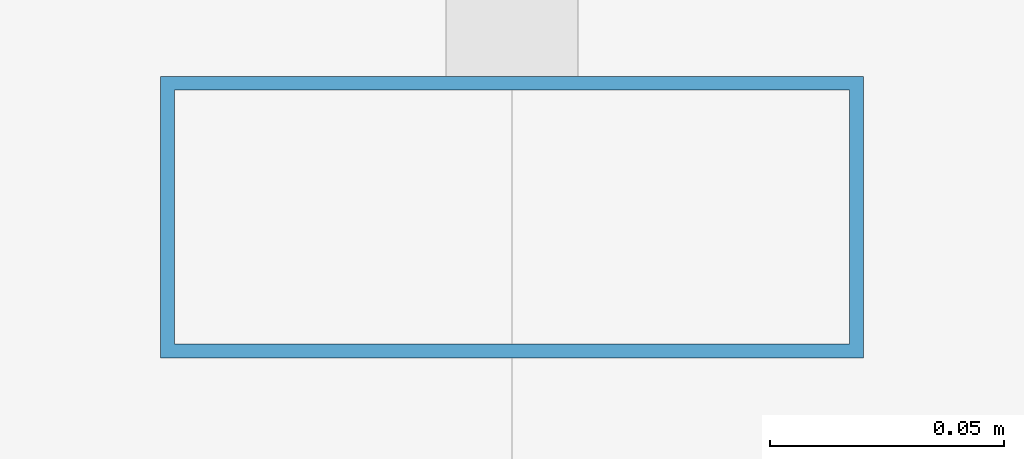
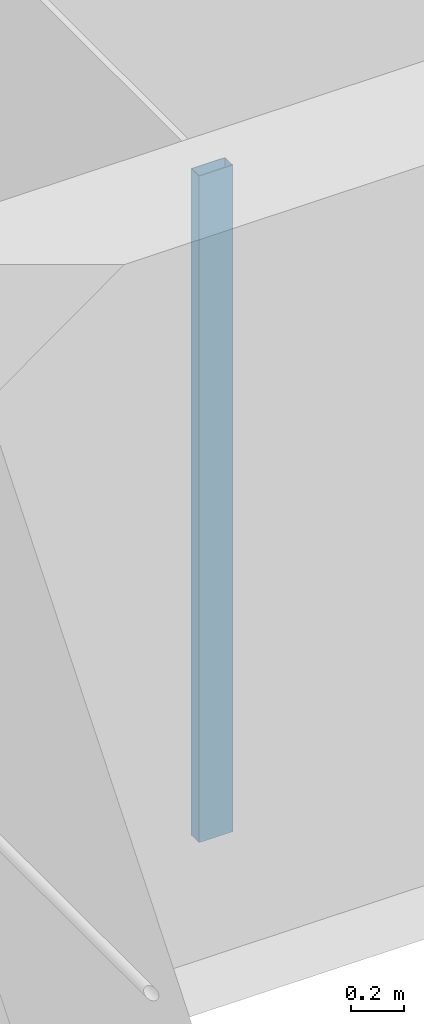
# One storey, part 11 of 40: 1 member, 1 element without a shape of its own.
"""IFC4 building model written with IfcOpenShell, lengths in metres."""

from ifc_helpers import new_model, si_unit, direction, frame, origin, origin_2d, place, context, subcontext, project, spatial, hollow_rectangle, extrude, material, material_profile, profile_set, type_object, element, aggregate, save


model = new_model("IFC4")

# Units and contexts
model_context = context("Model", 3, precision=1e-05, world=origin(), true_north=direction((0.0, 1.0)))
body_context = subcontext(model_context, "Body", "Model", "MODEL_VIEW")
ifc_project = project(units=[si_unit("LENGTHUNIT", "METRE"), si_unit("AREAUNIT", "SQUARE_METRE"), si_unit("VOLUMEUNIT", "CUBIC_METRE"), si_unit("PLANEANGLEUNIT", "RADIAN"), si_unit("MASSUNIT", "GRAM", prefix="KILO")], contexts=[model_context])

# Site, building, storey
site_placement = place(None, origin())
site = spatial("IfcSite", under=ifc_project, at=site_placement, CompositionType="ELEMENT")
building_placement = place(site_placement, origin())
building = spatial("IfcBuilding", under=site, at=building_placement, Name="Altepetl Exchange Towers", CompositionType="ELEMENT")
storey_placement = place(building_placement, frame((0.0, 0.0, 179.800048828125)))
storey = spatial("IfcBuildingStorey", under=building, at=storey_placement, Name="L45", CompositionType="ELEMENT", Elevation=179.800048828125)

# Curtain wall, member
ifc_material_1 = material(Name="Aluminium 6063-T6 glazing", Category="aluminium")
curtain_wall_type = type_object("IfcCurtainWallType", Name="Loggia glazing system", PredefinedType="NOTDEFINED", material=ifc_material_1)
curtain_wall_placement = place(storey_placement, origin())
curtain_wall = element("IfcCurtainWall", 1, at=curtain_wall_placement, inside=storey, type_object=curtain_wall_type, Name="CW1 run", PredefinedType="NOTDEFINED")
ifc_material_2 = material(Name="Aluminium 6063-T6", Category="aluminium")
ifc_material_profile = material_profile(ifc_material_2, hollow_rectangle(XDim=0.06005859375, YDim=0.14990234375, WallThickness=0.0029296875, at=origin_2d()), Name="Mullion 60x150 aluminium")
ifc_profile_set = profile_set([ifc_material_profile], Name="Aluminium 6063-T6")
member_type = type_object("IfcMemberType", Name="Mullion 60x150 aluminium", PredefinedType="MULLION", material=ifc_profile_set)
member_placement = place(storey_placement, frame((42.5, 58.60498046875, 0.0), z_axis=(0.0, 0.0, 1.0), x_axis=(0.0, -1.0, 0.0)))
member = element("IfcMember", 2, at=member_placement, type_object=member_type, Name="MU1 mullion", PredefinedType="MULLION", context=body_context, shape_type="SweptSolid", body=[
    extrude(hollow_rectangle(XDim=0.06005859375, YDim=0.14990234375, WallThickness=0.0029296875, at=origin_2d()), origin(), (0.0, 0.0, 1.0), 3.099853515625),
])
aggregate(curtain_wall, [member])

save(model, "model.ifc")
